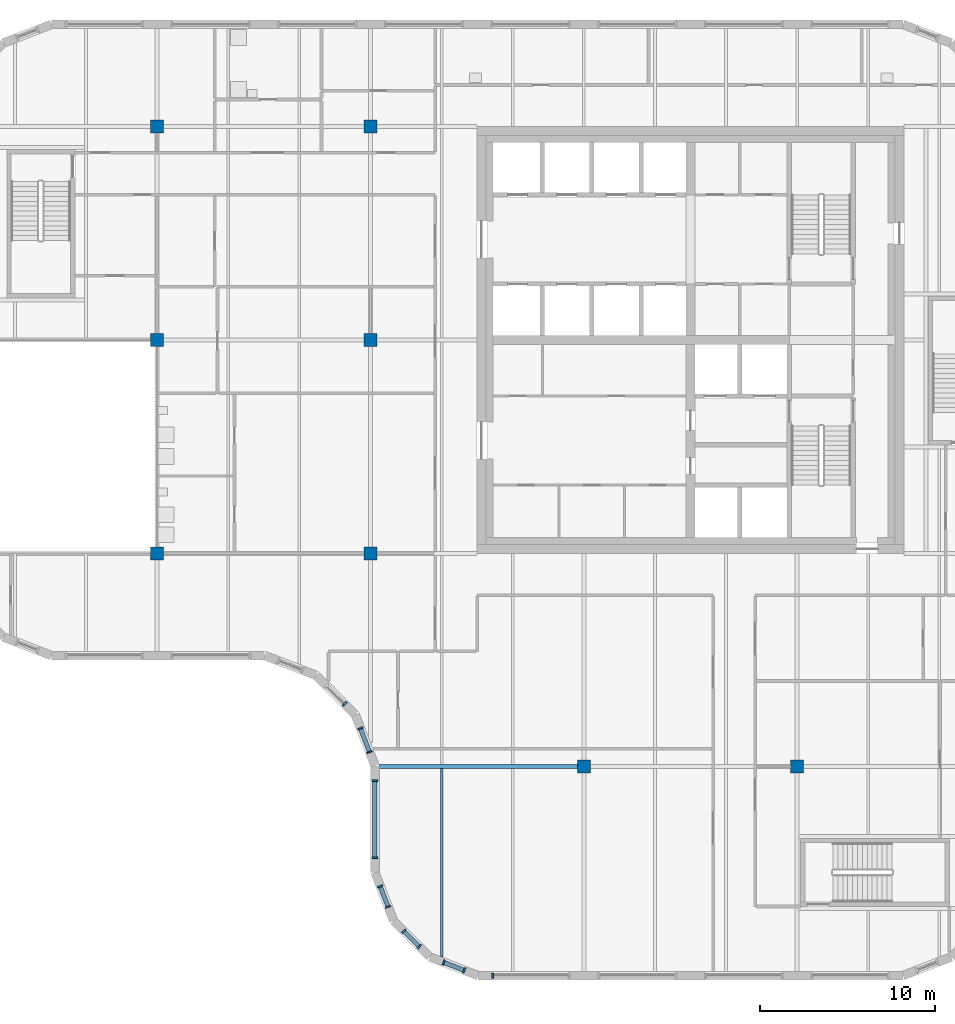
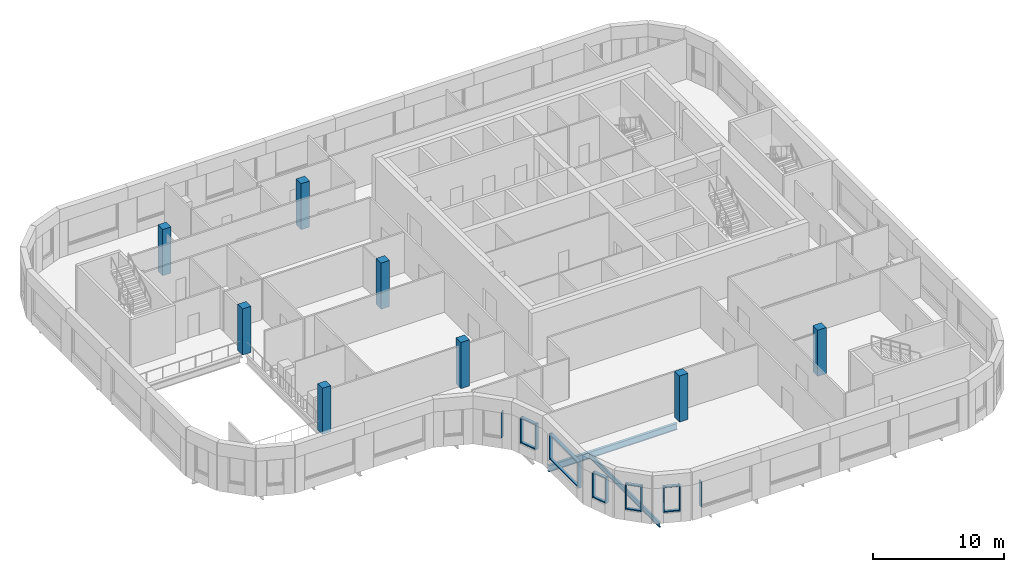
# One storey, part 1 of 21: 22 members, 8 columns, 2 beams, 7 elements without a shape of their own.
"""IFC4 building model written with IfcOpenShell, lengths in metres."""

from ifc_helpers import new_model, si_unit, direction, frame, origin, origin_2d, place, context, subcontext, project, spatial, rectangle, i_section, extrude, material, material_profile, profile_set, type_object, element, aggregate, save


model = new_model("IFC4")

# Units and contexts
model_context = context("Model", 3, precision=1e-05, world=origin(), true_north=direction((0.0, 1.0)))
body_context = subcontext(model_context, "Body", "Model", "MODEL_VIEW")
ifc_project = project(units=[si_unit("LENGTHUNIT", "METRE"), si_unit("AREAUNIT", "SQUARE_METRE"), si_unit("VOLUMEUNIT", "CUBIC_METRE"), si_unit("PLANEANGLEUNIT", "RADIAN"), si_unit("MASSUNIT", "GRAM", prefix="KILO")], contexts=[model_context])

# Site, building, storey
site_placement = place(None, origin())
site = spatial("IfcSite", under=ifc_project, at=site_placement, CompositionType="ELEMENT")
building_placement = place(site_placement, origin())
building = spatial("IfcBuilding", under=site, at=building_placement, Name="Tessera Gate Towers", CompositionType="ELEMENT")
storey_placement = place(building_placement, frame((0.0, 0.0, 193.39990234375)))
storey = spatial("IfcBuildingStorey", under=building, at=storey_placement, Name="L48", CompositionType="ELEMENT", Elevation=193.39990234375)

# Columns
ifc_material_1 = material(Name="Concrete C70/85", Category="concrete")
ifc_material_profile_1 = material_profile(ifc_material_1, rectangle(XDim=0.75, YDim=0.75, at=origin_2d()), Name="RC 750x750")
ifc_profile_set_1 = profile_set([ifc_material_profile_1], Name="Concrete C70/85")
column_type = type_object("IfcColumnType", Name="COLUMN RC 750x750", PredefinedType="COLUMN", material=ifc_profile_set_1)
for number, where, z_axis, x_axis, name in (
    (1, (12.199951171875, 24.39990234375, 0.0), (0.0, 0.0, 1.0), (1.0, 0.0, 0.0), "T1-COL-2C-L48"),
    (2, (12.199951171875, 36.60009765625, 0.0), (0.0, 0.0, 1.0), (1.0, 0.0, 0.0), "T1-COL-2D-L48"),
    (3, (12.199951171875, 48.800048828125, 0.0), (0.0, 0.0, 1.0), (1.0, 0.0, 0.0), "T1-COL-2E-L48"),
    (4, (24.39990234375, 24.39990234375, 0.0), (0.0, 0.0, 1.0), (1.0, 0.0, 0.0), "T1-COL-3C-L48"),
    (5, (24.39990234375, 36.60009765625, 0.0), (0.0, 0.0, 1.0), (1.0, 0.0, 0.0), "T1-COL-3D-L48"),
    (6, (24.39990234375, 48.800048828125, 0.0), (0.0, 0.0, 1.0), (1.0, 0.0, 0.0), "T1-COL-3E-L48"),
    (7, (36.60009765625, 12.199951171875, 0.0), (0.0, 0.0, 1.0), (1.0, 0.0, 0.0), "T1-COL-4B-L48"),
    (8, (48.800048828125, 12.199951171875, 0.0), (0.0, 0.0, 1.0), (1.0, 0.0, 0.0), "T1-COL-5B-L48"),
):
    element("IfcColumn", number, at=place(storey_placement, frame(where, z_axis=z_axis, x_axis=x_axis)), inside=storey, type_object=column_type, Name=name, PredefinedType="COLUMN", context=body_context, shape_type="SweptSolid", body=[
        extrude(rectangle(XDim=0.75, YDim=0.75, at=origin_2d()), origin(), (0.0, 0.0, 1.0), 4.300048828125),
    ])

# Beams
ifc_material_2 = material(Name="Steel 350W", Category="steel")
ifc_material_profile_2 = material_profile(ifc_material_2, i_section(OverallWidth=0.22802734375, OverallDepth=0.60302734375, WebThickness=0.010498046875, FlangeThickness=0.014892578125, at=origin_2d()), Name="W610x101")
ifc_profile_set_2 = profile_set([ifc_material_profile_2], Name="Steel 350W")
beam_type_1 = type_object("IfcBeamType", Name="FLOOR GIRDER W610x101", PredefinedType="BEAM", material=ifc_profile_set_2)
beam_1_placement = place(storey_placement, frame((24.89892578125, 12.199951171875, -0.551513671875), z_axis=(1.0, 0.0, 0.0), x_axis=(0.0, 1.0, 0.0)))
element("IfcBeam", 9, at=beam_1_placement, inside=storey, type_object=beam_type_1, Name="T1-GD-L48-5108", PredefinedType="BEAM", context=body_context, shape_type="SweptSolid", body=[
    extrude(i_section(OverallWidth=0.22802734375, OverallDepth=0.60302734375, WebThickness=0.010498046875, FlangeThickness=0.014892578125, at=origin_2d()), origin(), (0.0, 0.0, 1.0), 11.326171875),
])
ifc_material_3 = material(Name="Steel 350W", Category="steel")
ifc_material_profile_3 = material_profile(ifc_material_3, i_section(OverallWidth=0.153076171875, OverallDepth=0.455078125, WebThickness=0.008056640625, FlangeThickness=0.01318359375, at=origin_2d()), Name="W460x60")
ifc_profile_set_3 = profile_set([ifc_material_profile_3], Name="Steel 350W")
beam_type_2 = type_object("IfcBeamType", Name="FLOOR SECONDARY W460x60", PredefinedType="BEAM", material=ifc_profile_set_3)
beam_2_placement = place(storey_placement, frame((28.466796875, 1.3203125, -0.477294921875), z_axis=(0.0, 1.0, 0.0), x_axis=(-1.0, 0.0, 0.0)))
element("IfcBeam", 10, at=beam_2_placement, inside=storey, type_object=beam_type_2, Name="T1-BM-L48-5156", PredefinedType="BEAM", context=body_context, shape_type="SweptSolid", body=[
    extrude(i_section(OverallWidth=0.153076171875, OverallDepth=0.455078125, WebThickness=0.008056640625, FlangeThickness=0.01318359375, at=origin_2d()), origin(), (0.0, 0.0, 1.0), 10.765625),
])

# Curtain wall, member
ifc_material_4 = material(Name="Aluminium frame", Category="aluminium")
curtain_wall_type = type_object("IfcCurtainWallType", Name="CW-S3 amenity floor glazing", PredefinedType="NOTDEFINED", material=ifc_material_4)
curtain_wall_1_placement = place(storey_placement, origin())
curtain_wall_1 = element("IfcCurtainWall", 11, at=curtain_wall_1_placement, inside=storey, type_object=curtain_wall_type, Name="Curtain wall amenity floor glazing 0045", PredefinedType="NOTDEFINED")
ifc_material_5 = material(Name="Aluminium frame", Category="aluminium")
ifc_material_profile_4 = material_profile(ifc_material_5, rectangle(XDim=0.10009765625, YDim=0.300048828125, at=origin_2d()), Name="AL 100x300")
ifc_profile_set_4 = profile_set([ifc_material_profile_4], Name="Aluminium frame")
member_type_1 = type_object("IfcMemberType", Name="MU-S3 mullion 100x300", PredefinedType="MULLION", material=ifc_profile_set_4)
member_1_placement = place(storey_placement, frame((31.396484375, 0.25, 0.900146484375), z_axis=(0.0, 0.0, 1.0), x_axis=(1.0, 0.0, 0.0)))
member_1 = element("IfcMember", 12, at=member_1_placement, type_object=member_type_1, Name="T1-CW3-0045 mullion 1", PredefinedType="MULLION", context=body_context, shape_type="SweptSolid", body=[
    extrude(rectangle(XDim=0.10009765625, YDim=0.300048828125, at=origin_2d()), origin(), (0.0, 0.0, 1.0), 2.39990234375),
])
aggregate(curtain_wall_1, [member_1])

curtain_wall_2_placement = place(storey_placement, origin())
curtain_wall_2 = element("IfcCurtainWall", 13, at=curtain_wall_2_placement, inside=storey, type_object=curtain_wall_type, Name="Curtain wall amenity floor glazing 0083", PredefinedType="NOTDEFINED")
member_2_placement = place(storey_placement, frame((22.91552734375, 15.7861328125, 0.900146484375), z_axis=(0.0, 0.0, 1.0), x_axis=(0.707106781187, -0.707106781187, 0.0)))
member_2 = element("IfcMember", 14, at=member_2_placement, type_object=member_type_1, Name="T1-CW3-0083 mullion 2", PredefinedType="MULLION", context=body_context, shape_type="SweptSolid", body=[
    extrude(rectangle(XDim=0.10009765625, YDim=0.300048828125, at=origin_2d()), origin(), (0.0, 0.0, 1.0), 2.39990234375),
])
aggregate(curtain_wall_2, [member_2])

# Curtain wall, members
curtain_wall_3_placement = place(storey_placement, origin())
curtain_wall_3 = element("IfcCurtainWall", 15, at=curtain_wall_3_placement, inside=storey, type_object=curtain_wall_type, Name="Curtain wall amenity floor glazing 0084", PredefinedType="NOTDEFINED")
member_3_placement = place(storey_placement, frame((23.822509765625, 14.391845703125, 0.900146484375), z_axis=(0.0, 0.0, 1.0), x_axis=(0.359903715066, -0.932989451109, 0.0)))
member_3 = element("IfcMember", 16, at=member_3_placement, type_object=member_type_1, Name="T1-CW3-0084 mullion 1", PredefinedType="MULLION", context=body_context, shape_type="SweptSolid", body=[
    extrude(rectangle(XDim=0.10009765625, YDim=0.300048828125, at=origin_2d()), origin(), (0.0, 0.0, 1.0), 2.39990234375),
])
member_4_placement = place(storey_placement, frame((24.343994140625, 13.03955078125, 0.900146484375), z_axis=(0.0, 0.0, 1.0), x_axis=(0.359903715066, -0.932989451109, 0.0)))
member_4 = element("IfcMember", 17, at=member_4_placement, type_object=member_type_1, Name="T1-CW3-0084 mullion 2", PredefinedType="MULLION", context=body_context, shape_type="SweptSolid", body=[
    extrude(rectangle(XDim=0.10009765625, YDim=0.300048828125, at=origin_2d()), origin(), (0.0, 0.0, 1.0), 2.39990234375),
])

curtain_wall_4_placement = place(storey_placement, origin())
curtain_wall_4 = element("IfcCurtainWall", 18, at=curtain_wall_4_placement, inside=storey, type_object=curtain_wall_type, Name="Curtain wall amenity floor glazing 0085", PredefinedType="NOTDEFINED")
member_5_placement = place(storey_placement, frame((24.64990234375, 11.396484375, 0.900146484375), z_axis=(0.0, 0.0, 1.0), x_axis=(0.0, -1.0, 0.0)))
member_5 = element("IfcMember", 19, at=member_5_placement, type_object=member_type_1, Name="T1-CW3-0085 mullion 1", PredefinedType="MULLION", context=body_context, shape_type="SweptSolid", body=[
    extrude(rectangle(XDim=0.10009765625, YDim=0.300048828125, at=origin_2d()), origin(), (0.0, 0.0, 1.0), 2.39990234375),
])
member_6_placement = place(storey_placement, frame((24.64990234375, 6.99658203125, 0.900146484375), z_axis=(0.0, 0.0, 1.0), x_axis=(0.0, -1.0, 0.0)))
member_6 = element("IfcMember", 20, at=member_6_placement, type_object=member_type_1, Name="T1-CW3-0085 mullion 2", PredefinedType="MULLION", context=body_context, shape_type="SweptSolid", body=[
    extrude(rectangle(XDim=0.10009765625, YDim=0.300048828125, at=origin_2d()), origin(), (0.0, 0.0, 1.0), 2.39990234375),
])

curtain_wall_5_placement = place(storey_placement, origin())
curtain_wall_5 = element("IfcCurtainWall", 21, at=curtain_wall_5_placement, inside=storey, type_object=curtain_wall_type, Name="Curtain wall amenity floor glazing 0086", PredefinedType="NOTDEFINED")
member_7_placement = place(storey_placement, frame((24.955810546875, 5.353515625, 0.900146484375), z_axis=(0.0, 0.0, 1.0), x_axis=(0.359904070394, -0.932989314041, 0.0)))
member_7 = element("IfcMember", 22, at=member_7_placement, type_object=member_type_1, Name="T1-CW3-0086 mullion 1", PredefinedType="MULLION", context=body_context, shape_type="SweptSolid", body=[
    extrude(rectangle(XDim=0.10009765625, YDim=0.300048828125, at=origin_2d()), origin(), (0.0, 0.0, 1.0), 2.39990234375),
])
member_8_placement = place(storey_placement, frame((25.406005859375, 4.186767578125, 0.900146484375), z_axis=(0.0, 0.0, 1.0), x_axis=(0.359904070394, -0.932989314041, 0.0)))
member_8 = element("IfcMember", 23, at=member_8_placement, type_object=member_type_1, Name="T1-CW3-0086 mullion 2", PredefinedType="MULLION", context=body_context, shape_type="SweptSolid", body=[
    extrude(rectangle(XDim=0.10009765625, YDim=0.300048828125, at=origin_2d()), origin(), (0.0, 0.0, 1.0), 2.39990234375),
])

curtain_wall_6_placement = place(storey_placement, origin())
curtain_wall_6 = element("IfcCurtainWall", 24, at=curtain_wall_6_placement, inside=storey, type_object=curtain_wall_type, Name="Curtain wall amenity floor glazing 0087", PredefinedType="NOTDEFINED")
member_9_placement = place(storey_placement, frame((26.31298828125, 2.792724609375, 0.900146484375), z_axis=(0.0, 0.0, 1.0), x_axis=(0.707106781187, -0.707106781187, 0.0)))
member_9 = element("IfcMember", 25, at=member_9_placement, type_object=member_type_1, Name="T1-CW3-0087 mullion 1", PredefinedType="MULLION", context=body_context, shape_type="SweptSolid", body=[
    extrude(rectangle(XDim=0.10009765625, YDim=0.300048828125, at=origin_2d()), origin(), (0.0, 0.0, 1.0), 2.39990234375),
])
member_10_placement = place(storey_placement, frame((27.192626953125, 1.912841796875, 0.900146484375), z_axis=(0.0, 0.0, 1.0), x_axis=(0.707106781187, -0.707106781187, 0.0)))
member_10 = element("IfcMember", 26, at=member_10_placement, type_object=member_type_1, Name="T1-CW3-0087 mullion 2", PredefinedType="MULLION", context=body_context, shape_type="SweptSolid", body=[
    extrude(rectangle(XDim=0.10009765625, YDim=0.300048828125, at=origin_2d()), origin(), (0.0, 0.0, 1.0), 2.39990234375),
])

curtain_wall_7_placement = place(storey_placement, origin())
curtain_wall_7 = element("IfcCurtainWall", 27, at=curtain_wall_7_placement, inside=storey, type_object=curtain_wall_type, Name="Curtain wall amenity floor glazing 0088", PredefinedType="NOTDEFINED")
member_11_placement = place(storey_placement, frame((28.586669921875, 1.006103515625, 0.900146484375), z_axis=(0.0, 0.0, 1.0), x_axis=(0.932989314041, -0.359904070394, 0.0)))
member_11 = element("IfcMember", 28, at=member_11_placement, type_object=member_type_1, Name="T1-CW3-0088 mullion 1", PredefinedType="MULLION", context=body_context, shape_type="SweptSolid", body=[
    extrude(rectangle(XDim=0.10009765625, YDim=0.300048828125, at=origin_2d()), origin(), (0.0, 0.0, 1.0), 2.39990234375),
])
member_12_placement = place(storey_placement, frame((29.75341796875, 0.555908203125, 0.900146484375), z_axis=(0.0, 0.0, 1.0), x_axis=(0.932989314041, -0.359904070394, 0.0)))
member_12 = element("IfcMember", 29, at=member_12_placement, type_object=member_type_1, Name="T1-CW3-0088 mullion 2", PredefinedType="MULLION", context=body_context, shape_type="SweptSolid", body=[
    extrude(rectangle(XDim=0.10009765625, YDim=0.300048828125, at=origin_2d()), origin(), (0.0, 0.0, 1.0), 2.39990234375),
])

# Member
ifc_material_6 = material(Name="Aluminium frame", Category="aluminium")
ifc_material_profile_5 = material_profile(ifc_material_6, rectangle(XDim=0.25, YDim=0.10009765625, at=origin_2d()), Name="AL 100x250")
ifc_profile_set_5 = profile_set([ifc_material_profile_5], Name="Aluminium frame")
member_type_2 = type_object("IfcMemberType", Name="TR-S3 transom 100x250", PredefinedType="USERDEFINED", material=ifc_profile_set_5)
member_13_placement = place(storey_placement, frame((23.84033203125, 14.34521484375, 0.9501953125), z_axis=(0.360009296925, -0.932948715701, 0.0), x_axis=(0.932948715701, 0.360009296925, 0.0)))
member_13 = element("IfcMember", 30, at=member_13_placement, type_object=member_type_2, Name="T1-CW3-0084 transom 1.1", ObjectType="TRANSOM", PredefinedType="USERDEFINED", context=body_context, shape_type="SweptSolid", body=[
    extrude(rectangle(XDim=0.25, YDim=0.10009765625, at=origin_2d()), origin(), (0.0, 0.0, 1.0), 1.349609375),
])

member_14_placement = place(storey_placement, frame((23.84033203125, 14.34521484375, 3.25), z_axis=(0.360009296925, -0.932948715701, 0.0), x_axis=(0.932948715701, 0.360009296925, 0.0)))
member_14 = element("IfcMember", 31, at=member_14_placement, type_object=member_type_2, Name="T1-CW3-0084 transom 1.2", ObjectType="TRANSOM", PredefinedType="USERDEFINED", context=body_context, shape_type="SweptSolid", body=[
    extrude(rectangle(XDim=0.25, YDim=0.10009765625, at=origin_2d()), origin(), (0.0, 0.0, 1.0), 1.349609375),
])

aggregate(curtain_wall_3, [member_3, member_4, member_13, member_14])

member_15_placement = place(storey_placement, frame((24.64990234375, 11.346435546875, 0.9501953125), z_axis=(0.0, -1.0, 0.0), x_axis=(1.0, 0.0, 0.0)))
member_15 = element("IfcMember", 32, at=member_15_placement, type_object=member_type_2, Name="T1-CW3-0085 transom 1.1", ObjectType="TRANSOM", PredefinedType="USERDEFINED", context=body_context, shape_type="SweptSolid", body=[
    extrude(rectangle(XDim=0.25, YDim=0.10009765625, at=origin_2d()), origin(), (0.0, 0.0, 1.0), 4.2998046875),
])

member_16_placement = place(storey_placement, frame((24.64990234375, 11.346435546875, 3.25), z_axis=(0.0, -1.0, 0.0), x_axis=(1.0, 0.0, 0.0)))
member_16 = element("IfcMember", 33, at=member_16_placement, type_object=member_type_2, Name="T1-CW3-0085 transom 1.2", ObjectType="TRANSOM", PredefinedType="USERDEFINED", context=body_context, shape_type="SweptSolid", body=[
    extrude(rectangle(XDim=0.25, YDim=0.10009765625, at=origin_2d()), origin(), (0.0, 0.0, 1.0), 4.2998046875),
])

aggregate(curtain_wall_4, [member_5, member_6, member_15, member_16])

member_17_placement = place(storey_placement, frame((24.973876953125, 5.306884765625, 0.9501953125), z_axis=(0.359874706938, -0.933000640571, 0.0), x_axis=(0.933000640571, 0.359874706938, 0.0)))
member_17 = element("IfcMember", 34, at=member_17_placement, type_object=member_type_2, Name="T1-CW3-0086 transom 1.1", ObjectType="TRANSOM", PredefinedType="USERDEFINED", context=body_context, shape_type="SweptSolid", body=[
    extrude(rectangle(XDim=0.25, YDim=0.10009765625, at=origin_2d()), origin(), (0.0, 0.0, 1.0), 1.150634765625),
])

member_18_placement = place(storey_placement, frame((24.973876953125, 5.306884765625, 3.25), z_axis=(0.359874706938, -0.933000640571, 0.0), x_axis=(0.933000640571, 0.359874706938, 0.0)))
member_18 = element("IfcMember", 35, at=member_18_placement, type_object=member_type_2, Name="T1-CW3-0086 transom 1.2", ObjectType="TRANSOM", PredefinedType="USERDEFINED", context=body_context, shape_type="SweptSolid", body=[
    extrude(rectangle(XDim=0.25, YDim=0.10009765625, at=origin_2d()), origin(), (0.0, 0.0, 1.0), 1.150634765625),
])

aggregate(curtain_wall_5, [member_7, member_8, member_17, member_18])

member_19_placement = place(storey_placement, frame((26.348388671875, 2.75732421875, 0.9501953125), z_axis=(0.70700007225, -0.707213474022, 0.0), x_axis=(0.707213474022, 0.70700007225, 0.0)))
member_19 = element("IfcMember", 36, at=member_19_placement, type_object=member_type_2, Name="T1-CW3-0087 transom 1.1", ObjectType="TRANSOM", PredefinedType="USERDEFINED", context=body_context, shape_type="SweptSolid", body=[
    extrude(rectangle(XDim=0.25, YDim=0.10009765625, at=origin_2d()), origin(), (0.0, 0.0, 1.0), 1.14404296875),
])

member_20_placement = place(storey_placement, frame((26.348388671875, 2.75732421875, 3.25), z_axis=(0.70700007225, -0.707213474022, 0.0), x_axis=(0.707213474022, 0.70700007225, 0.0)))
member_20 = element("IfcMember", 37, at=member_20_placement, type_object=member_type_2, Name="T1-CW3-0087 transom 1.2", ObjectType="TRANSOM", PredefinedType="USERDEFINED", context=body_context, shape_type="SweptSolid", body=[
    extrude(rectangle(XDim=0.25, YDim=0.10009765625, at=origin_2d()), origin(), (0.0, 0.0, 1.0), 1.14404296875),
])

aggregate(curtain_wall_6, [member_9, member_10, member_19, member_20])

member_21_placement = place(storey_placement, frame((28.633544921875, 0.988037109375, 0.9501953125), z_axis=(0.932973151687, -0.35994596571, 0.0), x_axis=(0.35994596571, 0.932973151687, 0.0)))
member_21 = element("IfcMember", 38, at=member_21_placement, type_object=member_type_2, Name="T1-CW3-0088 transom 1.1", ObjectType="TRANSOM", PredefinedType="USERDEFINED", context=body_context, shape_type="SweptSolid", body=[
    extrude(rectangle(XDim=0.25, YDim=0.10009765625, at=origin_2d()), origin(), (0.0, 0.0, 1.0), 1.150390625),
])

member_22_placement = place(storey_placement, frame((28.633544921875, 0.988037109375, 3.25), z_axis=(0.932973151687, -0.35994596571, 0.0), x_axis=(0.35994596571, 0.932973151687, 0.0)))
member_22 = element("IfcMember", 39, at=member_22_placement, type_object=member_type_2, Name="T1-CW3-0088 transom 1.2", ObjectType="TRANSOM", PredefinedType="USERDEFINED", context=body_context, shape_type="SweptSolid", body=[
    extrude(rectangle(XDim=0.25, YDim=0.10009765625, at=origin_2d()), origin(), (0.0, 0.0, 1.0), 1.150390625),
])

aggregate(curtain_wall_7, [member_11, member_12, member_21, member_22])

save(model, "model.ifc")
